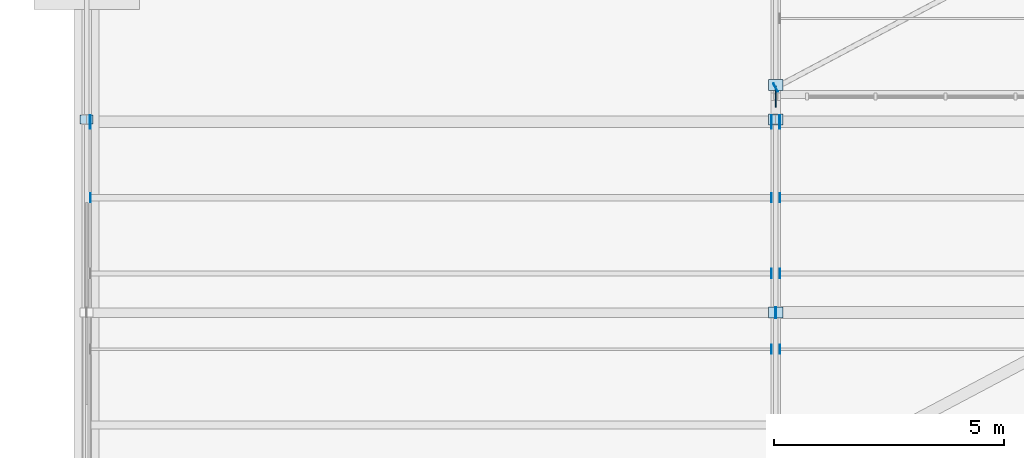
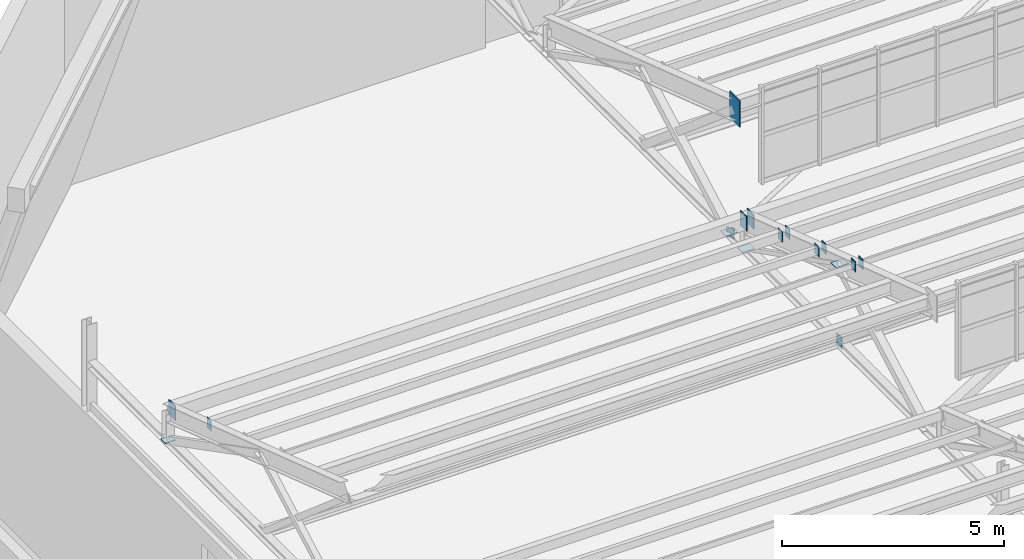
# One storey, part 206 of 285: 17 plates.
"""IFC4 building model written with IfcOpenShell, lengths in metres."""

from ifc_helpers import new_model, si_unit, direction, frame, origin, origin_2d, place, context, subcontext, project, spatial, rectangle, extrude, material, layer, layer_set, type_object, element, save


model = new_model("IFC4")

# Units and contexts
model_context = context("Model", 3, precision=1e-05, world=origin(), true_north=direction((0.0, 1.0)))
body_context = subcontext(model_context, "Body", "Model", "MODEL_VIEW")
ifc_project = project(units=[si_unit("LENGTHUNIT", "METRE"), si_unit("AREAUNIT", "SQUARE_METRE"), si_unit("VOLUMEUNIT", "CUBIC_METRE"), si_unit("PLANEANGLEUNIT", "RADIAN"), si_unit("MASSUNIT", "GRAM", prefix="KILO")], contexts=[model_context])

# Site, building, storey
site_placement = place(None, origin())
site = spatial("IfcSite", under=ifc_project, at=site_placement, CompositionType="ELEMENT")
building_placement = place(site_placement, origin())
building = spatial("IfcBuilding", under=site, at=building_placement, Name="Solanera Park Tramway Depot", CompositionType="ELEMENT")
storey_placement = place(building_placement, origin())
storey = spatial("IfcBuildingStorey", under=building, at=storey_placement, Name="L00", CompositionType="ELEMENT", Elevation=0.0)

# Plates
ifc_material_1 = material(Name="Steel AS/NZS 3679.1 Grade 350", Category="steel")
ifc_layer_1 = layer(ifc_material_1, 0.013916015625)
ifc_layer_set_1 = layer_set([ifc_layer_1], Name="Steel AS/NZS 3679.1 Grade 350")
plate_type_1 = type_object("IfcPlateType", Name="Hollow End Cap and Base Plate 280x200x14", PredefinedType="USERDEFINED", material=ifc_layer_set_1)
plate_1_placement = place(storey_placement, frame((0.0, 126.050048828125, 6.4931640625), z_axis=(0.0, 0.0, 1.0), x_axis=(1.0, 0.0, 0.0)))
element("IfcPlate", 1, at=plate_1_placement, inside=storey, type_object=plate_type_1, Name="Sawtooth Truss Node Cap Plate #0759", ObjectType="BASE PLATE", PredefinedType="USERDEFINED", context=body_context, shape_type="SweptSolid", body=[
    extrude(rectangle(XDim=0.280029296875, YDim=0.199951171875, at=origin_2d()), origin(), (0.0, 0.0, 1.0), 0.013916015625),
])
for number, where, z_axis, x_axis, name in (
    (2, (14.90625, 121.050048828125, 8.96240234375), (0.0, 0.0, 1.0), (1.0, 0.0, 0.0), "Hollow Section Welded End Cap Plate #0813"),
    (3, (15.09375, 121.050048828125, 8.96240234375), (0.0, 0.0, 1.0), (1.0, 0.0, 0.0), "Hollow Section Welded End Cap Plate #0814"),
    (4, (14.90625, 122.699951171875, 8.376953125), (0.0, 0.0, 1.0), (1.0, 0.0, 0.0), "Hollow Section Welded End Cap Plate #0833"),
    (5, (15.09375, 122.699951171875, 8.376953125), (0.0, 0.0, 1.0), (1.0, 0.0, 0.0), "Hollow Section Welded End Cap Plate #0834"),
    (6, (0.084228515625, 124.35009765625, 7.79150390625), (0.0, 0.0, 1.0), (1.0, 0.0, 0.0), "Hollow Section Welded End Cap Plate #0852"),
    (7, (14.90625, 124.35009765625, 7.79150390625), (0.0, 0.0, 1.0), (1.0, 0.0, 0.0), "Hollow Section Welded End Cap Plate #0853"),
    (8, (15.09375, 124.35009765625, 7.79150390625), (0.0, 0.0, 1.0), (1.0, 0.0, 0.0), "Hollow Section Welded End Cap Plate #0854"),
    (9, (14.999267578125, 126.74853515625, 6.35986328125), (0.0, 0.0, 1.0), (0.883520501477, 0.468392488698, 0.0), "Hollow Section Welded End Cap Plate #0992"),
):
    element("IfcPlate", number, at=place(storey_placement, frame(where, z_axis=z_axis, x_axis=x_axis)), inside=storey, type_object=plate_type_1, Name=name, ObjectType="BASE PLATE", PredefinedType="USERDEFINED", context=body_context, shape_type="SweptSolid", body=[
        extrude(rectangle(XDim=0.013916015625, YDim=0.199951171875, at=origin_2d()), origin(), (0.0, 0.0, 1.0), 0.280029296875),
    ])
ifc_material_2 = material(Name="Steel AS/NZS 3679.1 Grade 350", Category="steel")
ifc_layer_2 = layer(ifc_material_2, 0.01611328125)
ifc_layer_set_2 = layer_set([ifc_layer_2], Name="Steel AS/NZS 3679.1 Grade 350")
plate_type_2 = type_object("IfcPlateType", Name="Hollow End Cap and Base Plate 320x240x16", PredefinedType="USERDEFINED", material=ifc_layer_set_2)
plate_2_placement = place(storey_placement, frame((15.0, 121.85009765625, 6.33984375), z_axis=(0.0, 0.0, 1.0), x_axis=(1.0, 0.0, 0.0)))
element("IfcPlate", 10, at=plate_2_placement, inside=storey, type_object=plate_type_2, Name="Sawtooth Truss Hollow End Cap #0763", ObjectType="BASE PLATE", PredefinedType="USERDEFINED", context=body_context, shape_type="SweptSolid", body=[
    extrude(rectangle(XDim=0.01611328125, YDim=0.239990234375, at=origin_2d()), origin(), (0.0, 0.0, 1.0), 0.320068359375),
])
for number, where, z_axis, x_axis, name in (
    (11, (15.0, 126.050048828125, 6.491943359375), (0.0, 0.0, 1.0), (1.0, 0.0, 0.0), "Sawtooth Truss Node Cap Plate #0764"),
    (12, (15.0, 121.85009765625, 8.62158203125), (0.0, 0.0, 1.0), (1.0, 0.0, 0.0), "Sawtooth Truss Node Cap Plate #0765"),
    (13, (15.0, 126.800048828125, 6.491943359375), (0.0, 0.0, 1.0), (1.0, 0.0, 0.0), "Sawtooth Truss Node Cap Plate #0908"),
):
    element("IfcPlate", number, at=place(storey_placement, frame(where, z_axis=z_axis, x_axis=x_axis)), inside=storey, type_object=plate_type_2, Name=name, ObjectType="BASE PLATE", PredefinedType="USERDEFINED", context=body_context, shape_type="SweptSolid", body=[
        extrude(rectangle(XDim=0.320068359375, YDim=0.239990234375, at=origin_2d()), origin(), (0.0, 0.0, 1.0), 0.01611328125),
    ])
ifc_material_3 = material(Name="Steel AS/NZS 3679.1 Grade 350", Category="steel")
ifc_layer_3 = layer(ifc_material_3, 0.02001953125)
ifc_layer_set_3 = layer_set([ifc_layer_3], Name="Steel AS/NZS 3679.1 Grade 350")
plate_type_3 = type_object("IfcPlateType", Name="Hollow End Cap and Base Plate 400x300x20", PredefinedType="USERDEFINED", material=ifc_layer_set_3)
for number, where, z_axis, x_axis, name in (
    (14, (0.081298828125, 126.0, 7.11279296875), (0.0, 0.0, 1.0), (1.0, 0.0, 0.0), "Hollow Section Welded End Cap Plate #0872"),
    (15, (14.9091796875, 126.0, 7.11279296875), (0.0, 0.0, 1.0), (1.0, 0.0, 0.0), "Hollow Section Welded End Cap Plate #0873"),
    (16, (15.0908203125, 126.0, 7.11279296875), (0.0, 0.0, 1.0), (1.0, 0.0, 0.0), "Hollow Section Welded End Cap Plate #0874"),
):
    element("IfcPlate", number, at=place(storey_placement, frame(where, z_axis=z_axis, x_axis=x_axis)), inside=storey, type_object=plate_type_3, Name=name, ObjectType="BASE PLATE", PredefinedType="USERDEFINED", context=body_context, shape_type="SweptSolid", body=[
        extrude(rectangle(XDim=0.02001953125, YDim=0.300048828125, at=origin_2d()), origin(), (0.0, 0.0, 1.0), 0.39990234375),
    ])
ifc_material_4 = material(Name="Steel AS/NZS 3679.1 Grade 350", Category="steel")
ifc_layer_4 = layer(ifc_material_4, 0.02490234375)
ifc_layer_set_4 = layer_set([ifc_layer_4], Name="Steel AS/NZS 3679.1 Grade 350")
plate_type_4 = type_object("IfcPlateType", Name="Truss Node Gusset Stiffener 720x460x25", PredefinedType="SHEET", material=ifc_layer_set_4)
plate_3_placement = place(storey_placement, frame((15.0, 126.550048828125, 9.658203125), z_axis=(0.0, 0.0, 1.0), x_axis=(1.0, 0.0, 0.0)))
element("IfcPlate", 17, at=plate_3_placement, inside=storey, type_object=plate_type_4, Name="Sawtooth Truss Apex Gusset Plate #0904", PredefinedType="SHEET", context=body_context, shape_type="SweptSolid", body=[
    extrude(rectangle(XDim=0.02490234375, YDim=0.4599609375, at=origin_2d()), origin(), (0.0, 0.0, 1.0), 0.719970703125),
])

save(model, "model.ifc")
